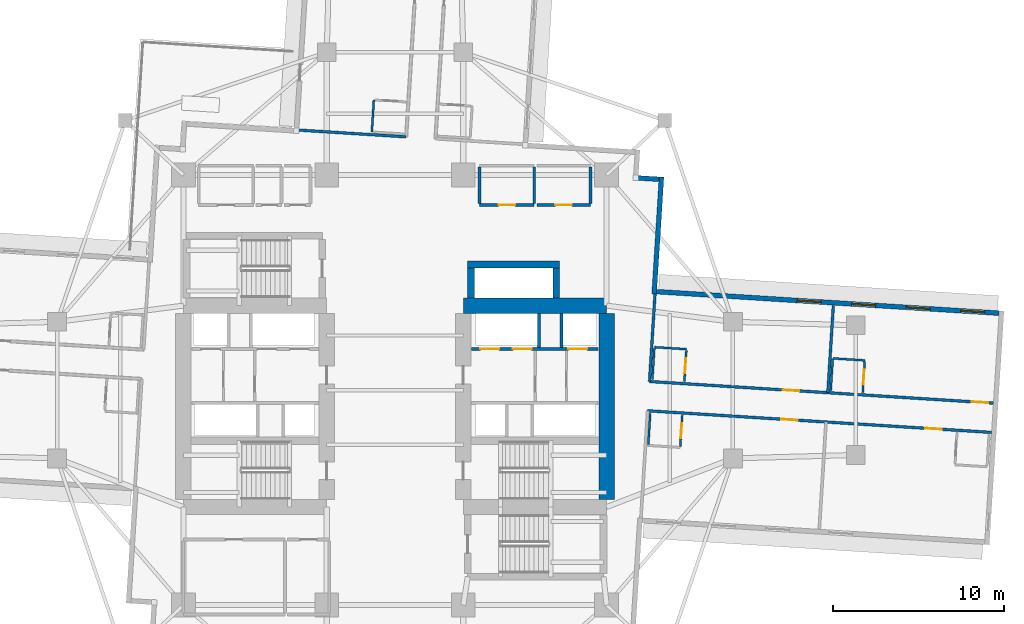
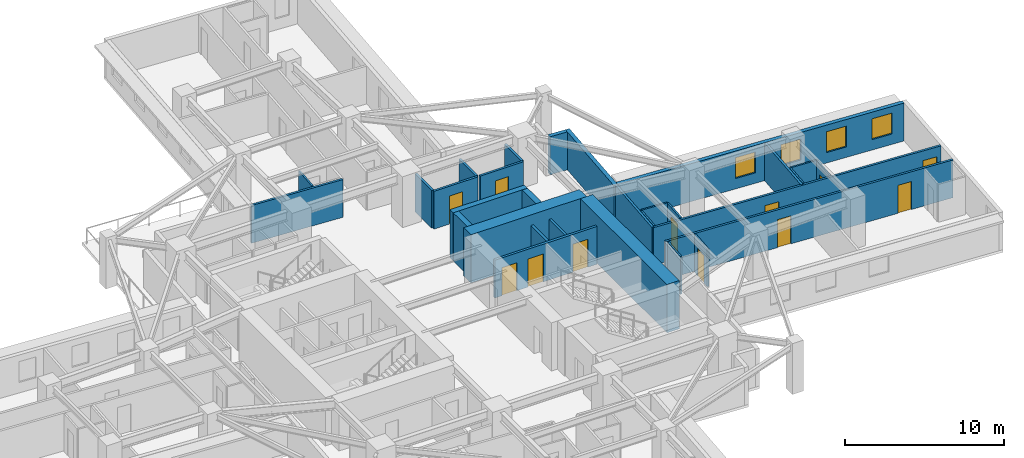
# One storey, part 7 of 14: 30 walls, 12 doors, 4 windows, 16 openings.
"""IFC4 building model written with IfcOpenShell, lengths in metres."""

from ifc_helpers import new_model, si_unit, direction, frame, frame_2d, origin, place, context, subcontext, project, spatial, rectangle, extrude, material, layer, layer_set, type_object, element, fill, save


model = new_model("IFC4")

# Units and contexts
model_context = context("Model", 3, precision=1e-05, world=origin(), true_north=direction((0.0, 1.0)))
body_context = subcontext(model_context, "Body", "Model", "MODEL_VIEW")
ifc_project = project(units=[si_unit("LENGTHUNIT", "METRE"), si_unit("AREAUNIT", "SQUARE_METRE"), si_unit("VOLUMEUNIT", "CUBIC_METRE"), si_unit("PLANEANGLEUNIT", "RADIAN"), si_unit("MASSUNIT", "GRAM", prefix="KILO")], contexts=[model_context])

# Site, building, storey
site_placement = place(None, origin())
site = spatial("IfcSite", under=ifc_project, at=site_placement, CompositionType="ELEMENT")
building_placement = place(site_placement, origin())
building = spatial("IfcBuilding", under=site, at=building_placement, Name="Qingluan Cross Belvedere", CompositionType="ELEMENT")
storey_placement = place(building_placement, frame((0.0, 0.0, 87.300048828125)))
storey = spatial("IfcBuildingStorey", under=building, at=storey_placement, Name="L22", CompositionType="ELEMENT", Elevation=87.300048828125)

# Walls
ifc_material_1 = material(Name="Concrete C50", Category="concrete")
ifc_layer_1 = layer(ifc_material_1, 0.449951171875, Name="CoreShearWall_450")
ifc_layer_set_1 = layer_set([ifc_layer_1], Name="Concrete C50")
wall_type_1 = type_object("IfcWallType", Name="CoreShearWall_450", PredefinedType="SHEAR", material=ifc_layer_set_1)
wall_1_placement = place(storey_placement, frame((4.449951171875, 5.405029296875, 0.0), z_axis=(0.0, 0.0, 1.0), x_axis=(0.0, 1.0, 0.0)))
element("IfcWall", 1, at=wall_1_placement, inside=storey, type_object=wall_type_1, Name="Express shuttle core wall L22-W", PredefinedType="SHEAR", context=body_context, shape_type="SweptSolid", body=[
    extrude(rectangle(XDim=1.73486328125, YDim=0.39990234375, at=frame_2d((0.867431640625, 0.0))), origin(), (0.0, 0.0, 1.0), 3.699951171875),
])
wall_2_placement = place(storey_placement, frame((4.25, 7.35009765625, 0.0), z_axis=(0.0, 0.0, 1.0), x_axis=(1.0, 0.0, 0.0)))
element("IfcWall", 2, at=wall_2_placement, inside=storey, type_object=wall_type_1, Name="Express shuttle core wall L22-N", PredefinedType="SHEAR", context=body_context, shape_type="SweptSolid", body=[
    extrude(rectangle(XDim=5.39990234375, YDim=0.39990234375, at=frame_2d((2.699951171875, 0.0))), origin(), (0.0, 0.0, 1.0), 3.699951171875),
])
wall_3_placement = place(storey_placement, frame((9.449951171875, 5.405029296875, 0.0), z_axis=(0.0, 0.0, 1.0), x_axis=(0.0, 1.0, 0.0)))
element("IfcWall", 3, at=wall_3_placement, inside=storey, type_object=wall_type_1, Name="Express shuttle core wall L22-E", PredefinedType="SHEAR", context=body_context, shape_type="SweptSolid", body=[
    extrude(rectangle(XDim=1.73486328125, YDim=0.39990234375, at=frame_2d((0.867431640625, 0.0))), origin(), (0.0, 0.0, 1.0), 3.699951171875),
])
ifc_material_2 = material(Name="Concrete C70", Category="concrete")
ifc_layer_2 = layer(ifc_material_2, 0.89990234375, Name="CoreShearWall_900")
ifc_layer_set_2 = layer_set([ifc_layer_2], Name="Concrete C70")
wall_type_2 = type_object("IfcWallType", Name="CoreShearWall_900", PredefinedType="SHEAR", material=ifc_layer_set_2)
wall_4_placement = place(storey_placement, frame((4.0, 4.949951171875, 0.0), z_axis=(0.0, 0.0, 1.0), x_axis=(1.0, 0.0, 0.0)))
element("IfcWall", 4, at=wall_4_placement, inside=storey, type_object=wall_type_2, Name="Split core E shear wall L22-N", PredefinedType="SHEAR", context=body_context, shape_type="SweptSolid", body=[
    extrude(rectangle(XDim=8.39990234375, YDim=0.89990234375, at=frame_2d((4.199951171875, 0.0))), origin(), (0.0, 0.0, 1.0), 3.699951171875),
])
wall_5_placement = place(storey_placement, frame((12.39990234375, -6.39501953125, 0.0), z_axis=(0.0, 0.0, 1.0), x_axis=(0.0, 1.0, 0.0)))
element("IfcWall", 5, at=wall_5_placement, inside=storey, type_object=wall_type_2, Name="Split core E shear wall L22-E", PredefinedType="SHEAR", context=body_context, shape_type="SweptSolid", body=[
    extrude(rectangle(XDim=10.89013671875, YDim=0.89990234375, at=frame_2d((5.445068359375, 0.0))), origin(), (0.0, 0.0, 1.0), 3.699951171875),
])

# Wall, opening, door
ifc_material_3 = material(Name="Gypsum plasterboard on steel stud acoustic partition", Category="steel")
ifc_layer_3 = layer(ifc_material_3, 0.159912109375, Name="CorridorPartition_160")
ifc_layer_set_3 = layer_set([ifc_layer_3], Name="Gypsum plasterboard on steel stud acoustic partition")
wall_type_3 = type_object("IfcWallType", Name="CorridorPartition_160", PredefinedType="PARTITIONING", material=ifc_layer_set_3)
wall_6_placement = place(storey_placement, frame((4.949951171875, 10.85009765625, 0.0), z_axis=(0.0, 0.0, 1.0), x_axis=(1.0, 0.0, 0.0)))
wall_6 = element("IfcWall", 6, at=wall_6_placement, inside=storey, type_object=wall_type_3, Name="Partition L22:q_ne1:S", PredefinedType="PARTITIONING", context=body_context, shape_type="SweptSolid", body=[
    extrude(rectangle(XDim=3.199951171875, YDim=0.159912109375, at=frame_2d((1.60009765625, 0.0))), origin(), (0.0, 0.0, 1.0), 2.89990234375),
])
opening_1_placement = place(wall_6_placement, frame((1.1201171875, 0.0, 0.0)))
opening_1 = element("IfcOpeningElement", 7, at=opening_1_placement, cuts=wall_6, Name="Opening GD-10", PredefinedType="OPENING", context=body_context, shape_type="SweptSolid", body=[
    extrude(rectangle(XDim=0.9599609375, YDim=2.14990234375, at=frame_2d((0.47998046875, 1.074951171875))), frame((0.0, 0.08984375, 0.0), z_axis=(0.0, -1.0, 0.0), x_axis=(1.0, 0.0, 0.0)), (0.0, 0.0, 1.0), 0.179931640625),
])
ifc_material_4 = material(Name="Timber oak fire-rated acoustic guestroom door", Category="wood")
door_type_1 = type_object("IfcDoorType", Name="GuestEntryDoor_FD60", OperationType="NOTDEFINED", PredefinedType="DOOR", material=ifc_material_4)
door_1_placement = place(opening_1_placement, origin())
door_1 = element("IfcDoor", 8, at=door_1_placement, inside=storey, type_object=door_type_1, Name="Sky fitness studio L22 door", OperationType="SINGLE_SWING_LEFT", OverallHeight=2.14990234375, OverallWidth=0.9599609375, PredefinedType="DOOR", context=body_context, shape_type="SweptSolid", body=[
    extrude(rectangle(XDim=0.9599609375, YDim=2.14990234375, at=frame_2d((0.47998046875, 1.074951171875))), frame((0.0, 0.02490234375, 0.0), z_axis=(0.0, -1.0, 0.0), x_axis=(1.0, 0.0, 0.0)), (0.0, 0.0, 1.0), 0.050048828125),
])
fill(opening_1, door_1)

# Walls
for number, where, z_axis, x_axis, name in (
    (9, (4.949951171875, 10.93505859375, 0.0), (0.0, 0.0, 1.0), (0.0, 1.0, 0.0), "Partition L22:q_ne1:W"),
    (10, (8.14990234375, 10.93505859375, 0.0), (0.0, 0.0, 1.0), (0.0, 1.0, 0.0), "Partition L22:q_ne1:E"),
):
    element("IfcWall", number, at=place(storey_placement, frame(where, z_axis=z_axis, x_axis=x_axis)), inside=storey, type_object=wall_type_3, Name=name, PredefinedType="PARTITIONING", context=body_context, shape_type="SweptSolid", body=[
        extrude(rectangle(XDim=2.1298828125, YDim=0.159912109375, at=frame_2d((1.06494140625, 0.0))), origin(), (0.0, 0.0, 1.0), 2.89990234375),
    ])

# Wall, opening, door
wall_7_placement = place(storey_placement, frame((8.31005859375, 10.85009765625, 0.0), z_axis=(0.0, 0.0, 1.0), x_axis=(1.0, 0.0, 0.0)))
wall_7 = element("IfcWall", 11, at=wall_7_placement, inside=storey, type_object=wall_type_3, Name="Partition L22:q_ne2:S", PredefinedType="PARTITIONING", context=body_context, shape_type="SweptSolid", body=[
    extrude(rectangle(XDim=3.139892578125, YDim=0.159912109375, at=frame_2d((1.56982421875, 0.0))), origin(), (0.0, 0.0, 1.0), 2.89990234375),
])
opening_2_placement = place(wall_7_placement, frame((1.090087890625, 0.0, 0.0)))
opening_2 = element("IfcOpeningElement", 12, at=opening_2_placement, cuts=wall_7, Name="Opening GD-10", PredefinedType="OPENING", context=body_context, shape_type="SweptSolid", body=[
    extrude(rectangle(XDim=0.9599609375, YDim=2.14990234375, at=frame_2d((0.47998046875, 1.074951171875))), frame((0.0, 0.08984375, 0.0), z_axis=(0.0, -1.0, 0.0), x_axis=(1.0, 0.0, 0.0)), (0.0, 0.0, 1.0), 0.179931640625),
])
door_2_placement = place(opening_2_placement, origin())
door_2 = element("IfcDoor", 13, at=door_2_placement, inside=storey, type_object=door_type_1, Name="Northeast quiet study L22 door", OperationType="SINGLE_SWING_RIGHT", OverallHeight=2.14990234375, OverallWidth=0.9599609375, PredefinedType="DOOR", context=body_context, shape_type="SweptSolid", body=[
    extrude(rectangle(XDim=0.9599609375, YDim=2.14990234375, at=frame_2d((0.47998046875, 1.074951171875))), frame((0.0, 0.02490234375, 0.0), z_axis=(0.0, -1.0, 0.0), x_axis=(1.0, 0.0, 0.0)), (0.0, 0.0, 1.0), 0.050048828125),
])
fill(opening_2, door_2)

# Wall
wall_8_placement = place(storey_placement, frame((11.449951171875, 10.93505859375, 0.0), z_axis=(0.0, 0.0, 1.0), x_axis=(0.0, 1.0, 0.0)))
element("IfcWall", 14, at=wall_8_placement, inside=storey, type_object=wall_type_3, Name="Partition L22:q_ne2:E", PredefinedType="PARTITIONING", context=body_context, shape_type="SweptSolid", body=[
    extrude(rectangle(XDim=2.1298828125, YDim=0.159912109375, at=frame_2d((1.06494140625, 0.0))), origin(), (0.0, 0.0, 1.0), 2.89990234375),
])

# Wall, openings, doors
wall_9_placement = place(storey_placement, frame((14.9111328125, 0.504638671875, 0.0), z_axis=(0.0, 0.0, 1.0), x_axis=(0.998027172545, -0.062783460104, 0.0)))
wall_9 = element("IfcWall", 15, at=wall_9_placement, inside=storey, type_object=wall_type_3, Name="Partition L22:E:c0", PredefinedType="PARTITIONING", context=body_context, shape_type="SweptSolid", body=[
    extrude(rectangle(XDim=20.181884765625, YDim=0.159912109375, at=frame_2d((10.0908203125, 0.0))), origin(), (0.0, 0.0, 1.0), 2.89990234375),
])
opening_3_placement = place(wall_9_placement, frame((7.8359375, 0.0, 0.0)))
opening_3 = element("IfcOpeningElement", 16, at=opening_3_placement, cuts=wall_9, Name="Opening GD-10", PredefinedType="OPENING", context=body_context, shape_type="SweptSolid", body=[
    extrude(rectangle(XDim=0.9599609375, YDim=2.14990234375, at=frame_2d((0.47998046875, 1.074951171875))), frame((0.0, 0.08984375, 0.0), z_axis=(0.0, -1.0, 0.0), x_axis=(1.0, 0.0, 0.0)), (0.0, 0.0, 1.0), 0.179931640625),
])
opening_4_placement = place(wall_9_placement, frame((18.929931640625, 0.0, 0.0)))
opening_4 = element("IfcOpeningElement", 17, at=opening_4_placement, cuts=wall_9, Name="Opening GD-10", PredefinedType="OPENING", context=body_context, shape_type="SweptSolid", body=[
    extrude(rectangle(XDim=0.9599609375, YDim=2.14990234375, at=frame_2d((0.47998046875, 1.074951171875))), frame((0.0, 0.08984375, 0.0), z_axis=(0.0, -1.0, 0.0), x_axis=(1.0, 0.0, 0.0)), (0.0, 0.0, 1.0), 0.179931640625),
])
door_3_placement = place(opening_3_placement, origin())
door_3 = element("IfcDoor", 18, at=door_3_placement, inside=storey, type_object=door_type_1, Name="Guest entry fire door 2201", OperationType="SINGLE_SWING_LEFT", OverallHeight=2.14990234375, OverallWidth=0.9599609375, PredefinedType="DOOR", context=body_context, shape_type="SweptSolid", body=[
    extrude(rectangle(XDim=0.9599609375, YDim=2.14990234375, at=frame_2d((0.47998046875, 1.074951171875))), frame((0.0, 0.02490234375, 0.0), z_axis=(0.0, -1.0, 0.0), x_axis=(1.0, 0.0, 0.0)), (0.0, 0.0, 1.0), 0.050048828125),
])
fill(opening_3, door_3)
door_4_placement = place(opening_4_placement, origin())
door_4 = element("IfcDoor", 19, at=door_4_placement, inside=storey, type_object=door_type_1, Name="Guest entry fire door 2202", OperationType="SINGLE_SWING_LEFT", OverallHeight=2.14990234375, OverallWidth=0.9599609375, PredefinedType="DOOR", context=body_context, shape_type="SweptSolid", body=[
    extrude(rectangle(XDim=0.9599609375, YDim=2.14990234375, at=frame_2d((0.47998046875, 1.074951171875))), frame((0.0, 0.02490234375, 0.0), z_axis=(0.0, -1.0, 0.0), x_axis=(1.0, 0.0, 0.0)), (0.0, 0.0, 1.0), 0.050048828125),
])
fill(opening_4, door_4)

# Walls
wall_10_placement = place(storey_placement, frame((14.9111328125, 0.504638671875, 0.0), z_axis=(0.0, 0.0, 1.0), x_axis=(0.062792901986, 0.998026578534, 0.0)))
element("IfcWall", 20, at=wall_10_placement, inside=storey, type_object=wall_type_3, Name="Partition L22:E:s0", PredefinedType="PARTITIONING", context=body_context, shape_type="SweptSolid", body=[
    extrude(rectangle(XDim=5.132080078125, YDim=0.159912109375, at=frame_2d((2.56591796875, 0.0))), origin(), (0.0, 0.0, 1.0), 2.89990234375),
])
wall_11_placement = place(storey_placement, frame((25.360595703125, -0.152587890625, 0.0), z_axis=(0.0, 0.0, 1.0), x_axis=(0.062748498058, 0.998029371307, 0.0)))
element("IfcWall", 21, at=wall_11_placement, inside=storey, type_object=wall_type_3, Name="Partition L22:E:d0_0", PredefinedType="PARTITIONING", context=body_context, shape_type="SweptSolid", body=[
    extrude(rectangle(XDim=5.1318359375, YDim=0.159912109375, at=frame_2d((2.56591796875, 0.0))), origin(), (0.0, 0.0, 1.0), 2.89990234375),
])

# Wall, openings, doors
wall_12_placement = place(storey_placement, frame((14.802978515625, -1.2119140625, 0.0), z_axis=(0.0, 0.0, 1.0), x_axis=(0.998027220227, -0.06278270212, 0.0)))
wall_12 = element("IfcWall", 22, at=wall_12_placement, inside=storey, type_object=wall_type_3, Name="Partition L22:E:c1", PredefinedType="PARTITIONING", context=body_context, shape_type="SweptSolid", body=[
    extrude(rectangle(XDim=20.18212890625, YDim=0.159912109375, at=frame_2d((10.091064453125, 0.0))), origin(), (0.0, 0.0, 1.0), 2.89990234375),
])
opening_5_placement = place(wall_12_placement, frame((7.8359375, 0.0, 0.0)))
opening_5 = element("IfcOpeningElement", 23, at=opening_5_placement, cuts=wall_12, Name="Opening GD-10", PredefinedType="OPENING", context=body_context, shape_type="SweptSolid", body=[
    extrude(rectangle(XDim=0.9599609375, YDim=2.14990234375, at=frame_2d((0.47998046875, 1.074951171875))), frame((0.0, 0.08984375, 0.0), z_axis=(0.0, -1.0, 0.0), x_axis=(1.0, 0.0, 0.0)), (0.0, 0.0, 1.0), 0.179931640625),
])
opening_6_placement = place(wall_12_placement, frame((16.2958984375, 0.0, 0.0)))
opening_6 = element("IfcOpeningElement", 24, at=opening_6_placement, cuts=wall_12, Name="Opening GD-10", PredefinedType="OPENING", context=body_context, shape_type="SweptSolid", body=[
    extrude(rectangle(XDim=0.9599609375, YDim=2.14990234375, at=frame_2d((0.47998046875, 1.074951171875))), frame((0.0, 0.08984375, 0.0), z_axis=(0.0, -1.0, 0.0), x_axis=(1.0, 0.0, 0.0)), (0.0, 0.0, 1.0), 0.179931640625),
])
door_5_placement = place(opening_5_placement, origin())
door_5 = element("IfcDoor", 25, at=door_5_placement, inside=storey, type_object=door_type_1, Name="Guest entry fire door 2203", OperationType="SINGLE_SWING_LEFT", OverallHeight=2.14990234375, OverallWidth=0.9599609375, PredefinedType="DOOR", context=body_context, shape_type="SweptSolid", body=[
    extrude(rectangle(XDim=0.9599609375, YDim=2.14990234375, at=frame_2d((0.47998046875, 1.074951171875))), frame((0.0, 0.02490234375, 0.0), z_axis=(0.0, -1.0, 0.0), x_axis=(1.0, 0.0, 0.0)), (0.0, 0.0, 1.0), 0.050048828125),
])
fill(opening_5, door_5)
door_6_placement = place(opening_6_placement, origin())
door_6 = element("IfcDoor", 26, at=door_6_placement, inside=storey, type_object=door_type_1, Name="Guest entry fire door 2204", OperationType="SINGLE_SWING_LEFT", OverallHeight=2.14990234375, OverallWidth=0.9599609375, PredefinedType="DOOR", context=body_context, shape_type="SweptSolid", body=[
    extrude(rectangle(XDim=0.9599609375, YDim=2.14990234375, at=frame_2d((0.47998046875, 1.074951171875))), frame((0.0, 0.02490234375, 0.0), z_axis=(0.0, -1.0, 0.0), x_axis=(1.0, 0.0, 0.0)), (0.0, 0.0, 1.0), 0.050048828125),
])
fill(opening_6, door_6)

# Wall
wall_13_placement = place(storey_placement, frame((0.653076171875, 14.83837890625, 0.0), z_axis=(0.0, 0.0, 1.0), x_axis=(-0.998027570366, 0.062777135888, 0.0)))
element("IfcWall", 27, at=wall_13_placement, inside=storey, type_object=wall_type_3, Name="Partition L22:N:s1", PredefinedType="PARTITIONING", context=body_context, shape_type="SweptSolid", body=[
    extrude(rectangle(XDim=6.440185546875, YDim=0.159912109375, at=frame_2d((3.22021484375, 0.0))), origin(), (0.0, 0.0, 1.0), 2.89990234375),
])

# Wall, opening, door
ifc_material_5 = material(Name="Moisture-resistant gypsum board lining")
ifc_layer_4 = layer(ifc_material_5, 0.1201171875, Name="EnsuiteWetPartition_120")
ifc_layer_set_4 = layer_set([ifc_layer_4], Name="Moisture-resistant gypsum board lining")
wall_type_4 = type_object("IfcWallType", Name="EnsuiteWetPartition_120", PredefinedType="PARTITIONING", material=ifc_layer_set_4)
wall_14_placement = place(storey_placement, frame((16.955810546875, 0.516357421875, 0.0), z_axis=(0.0, 0.0, 1.0), x_axis=(0.062912758763, 0.998019030272, 0.0)))
wall_14 = element("IfcWall", 28, at=wall_14_placement, inside=storey, type_object=wall_type_4, Name="Partition L22:E:bs0_0", PredefinedType="PARTITIONING", context=body_context, shape_type="SweptSolid", body=[
    extrude(rectangle(XDim=1.820068359375, YDim=0.1201171875, at=frame_2d((0.91015625, 0.0))), origin(), (0.0, 0.0, 1.0), 2.89990234375),
])
opening_7_placement = place(wall_14_placement, frame((0.469970703125, 0.0, 0.0)))
opening_7 = element("IfcOpeningElement", 29, at=opening_7_placement, cuts=wall_14, Name="Opening BD-09", PredefinedType="OPENING", context=body_context, shape_type="SweptSolid", body=[
    extrude(rectangle(XDim=0.8798828125, YDim=2.10009765625, at=frame_2d((0.43994140625, 1.050048828125))), frame((0.0, 0.070068359375, 0.0), z_axis=(0.0, -1.0, 0.0), x_axis=(1.0, 0.0, 0.0)), (0.0, 0.0, 1.0), 0.14013671875),
])
ifc_material_6 = material(Name="Moisture-sealed timber en-suite door", Category="wood")
door_type_2 = type_object("IfcDoorType", Name="BathroomDoor_880", OperationType="NOTDEFINED", PredefinedType="DOOR", material=ifc_material_6)
door_7_placement = place(opening_7_placement, origin())
door_7 = element("IfcDoor", 30, at=door_7_placement, inside=storey, type_object=door_type_2, Name="Bathroom door 2201", OperationType="SINGLE_SWING_RIGHT", OverallHeight=2.10009765625, OverallWidth=0.8798828125, PredefinedType="DOOR", context=body_context, shape_type="SweptSolid", body=[
    extrude(rectangle(XDim=0.8798828125, YDim=2.10009765625, at=frame_2d((0.43994140625, 1.050048828125))), frame((0.0, 0.02490234375, 0.0), z_axis=(0.0, -1.0, 0.0), x_axis=(1.0, 0.0, 0.0)), (0.0, 0.0, 1.0), 0.050048828125),
])
fill(opening_7, door_7)

# Walls
wall_15_placement = place(storey_placement, frame((15.07958984375, 0.634521484375, 0.0), z_axis=(0.0, 0.0, 1.0), x_axis=(0.062787551592, 0.998026915151, 0.0)))
element("IfcWall", 31, at=wall_15_placement, inside=storey, type_object=wall_type_4, Name="Partition L22:E:bw0_0", PredefinedType="PARTITIONING", context=body_context, shape_type="SweptSolid", body=[
    extrude(rectangle(XDim=1.81982421875, YDim=0.1201171875, at=frame_2d((0.909912109375, 0.0))), origin(), (0.0, 0.0, 1.0), 2.89990234375),
])
wall_16_placement = place(storey_placement, frame((15.197998046875, 2.515625, 0.0), z_axis=(0.0, 0.0, 1.0), x_axis=(0.998030789148, -0.062725942896, 0.0)))
element("IfcWall", 32, at=wall_16_placement, inside=storey, type_object=wall_type_4, Name="Partition L22:E:bn0_0", PredefinedType="PARTITIONING", context=body_context, shape_type="SweptSolid", body=[
    extrude(rectangle(XDim=1.8798828125, YDim=0.1201171875, at=frame_2d((0.93994140625, 0.0))), origin(), (0.0, 0.0, 1.0), 2.89990234375),
])

# Wall, opening, door
wall_17_placement = place(storey_placement, frame((27.4052734375, -0.14111328125, 0.0), z_axis=(0.0, 0.0, 1.0), x_axis=(0.062779145668, 0.998027443946, 0.0)))
wall_17 = element("IfcWall", 33, at=wall_17_placement, inside=storey, type_object=wall_type_4, Name="Partition L22:E:bs0_1", PredefinedType="PARTITIONING", context=body_context, shape_type="SweptSolid", body=[
    extrude(rectangle(XDim=1.820068359375, YDim=0.1201171875, at=frame_2d((0.91015625, 0.0))), origin(), (0.0, 0.0, 1.0), 2.89990234375),
])
opening_8_placement = place(wall_17_placement, frame((0.469970703125, 0.0, 0.0)))
opening_8 = element("IfcOpeningElement", 34, at=opening_8_placement, cuts=wall_17, Name="Opening BD-09", PredefinedType="OPENING", context=body_context, shape_type="SweptSolid", body=[
    extrude(rectangle(XDim=0.8798828125, YDim=2.10009765625, at=frame_2d((0.43994140625, 1.050048828125))), frame((0.0, 0.070068359375, 0.0), z_axis=(0.0, -1.0, 0.0), x_axis=(1.0, 0.0, 0.0)), (0.0, 0.0, 1.0), 0.14013671875),
])
door_8_placement = place(opening_8_placement, origin())
door_8 = element("IfcDoor", 35, at=door_8_placement, inside=storey, type_object=door_type_2, Name="Bathroom door 2202", OperationType="SINGLE_SWING_RIGHT", OverallHeight=2.10009765625, OverallWidth=0.8798828125, PredefinedType="DOOR", context=body_context, shape_type="SweptSolid", body=[
    extrude(rectangle(XDim=0.8798828125, YDim=2.10009765625, at=frame_2d((0.43994140625, 1.050048828125))), frame((0.0, 0.02490234375, 0.0), z_axis=(0.0, -1.0, 0.0), x_axis=(1.0, 0.0, 0.0)), (0.0, 0.0, 1.0), 0.050048828125),
])
fill(opening_8, door_8)

# Walls
wall_18_placement = place(storey_placement, frame((25.52880859375, -0.02294921875, 0.0), z_axis=(0.0, 0.0, 1.0), x_axis=(0.062912758763, 0.998019030272, 0.0)))
element("IfcWall", 36, at=wall_18_placement, inside=storey, type_object=wall_type_4, Name="Partition L22:E:bw0_1", PredefinedType="PARTITIONING", context=body_context, shape_type="SweptSolid", body=[
    extrude(rectangle(XDim=1.820068359375, YDim=0.1201171875, at=frame_2d((0.91015625, 0.0))), origin(), (0.0, 0.0, 1.0), 2.89990234375),
])
wall_19_placement = place(storey_placement, frame((25.647216796875, 1.8583984375, 0.0), z_axis=(0.0, 0.0, 1.0), x_axis=(0.998023163794, -0.062847152131, 0.0)))
element("IfcWall", 37, at=wall_19_placement, inside=storey, type_object=wall_type_4, Name="Partition L22:E:bn0_1", PredefinedType="PARTITIONING", context=body_context, shape_type="SweptSolid", body=[
    extrude(rectangle(XDim=1.880126953125, YDim=0.1201171875, at=frame_2d((0.93994140625, 0.0))), origin(), (0.0, 0.0, 1.0), 2.89990234375),
])

# Wall, opening, door
wall_20_placement = place(storey_placement, frame((16.716064453125, -3.296142578125, 0.0), z_axis=(0.0, 0.0, 1.0), x_axis=(0.062779145668, 0.998027443946, 0.0)))
wall_20 = element("IfcWall", 38, at=wall_20_placement, inside=storey, type_object=wall_type_4, Name="Partition L22:E:bs1_0", PredefinedType="PARTITIONING", context=body_context, shape_type="SweptSolid", body=[
    extrude(rectangle(XDim=1.820068359375, YDim=0.1201171875, at=frame_2d((0.91015625, 0.0))), origin(), (0.0, 0.0, 1.0), 2.89990234375),
])
opening_9_placement = place(wall_20_placement, frame((0.469970703125, 0.0, 0.0)))
opening_9 = element("IfcOpeningElement", 39, at=opening_9_placement, cuts=wall_20, Name="Opening BD-09", PredefinedType="OPENING", context=body_context, shape_type="SweptSolid", body=[
    extrude(rectangle(XDim=0.8798828125, YDim=2.10009765625, at=frame_2d((0.43994140625, 1.050048828125))), frame((0.0, 0.070068359375, 0.0), z_axis=(0.0, -1.0, 0.0), x_axis=(1.0, 0.0, 0.0)), (0.0, 0.0, 1.0), 0.14013671875),
])
door_9_placement = place(opening_9_placement, origin())
door_9 = element("IfcDoor", 40, at=door_9_placement, inside=storey, type_object=door_type_2, Name="Bathroom door 2203", OperationType="SINGLE_SWING_RIGHT", OverallHeight=2.10009765625, OverallWidth=0.8798828125, PredefinedType="DOOR", context=body_context, shape_type="SweptSolid", body=[
    extrude(rectangle(XDim=0.8798828125, YDim=2.10009765625, at=frame_2d((0.43994140625, 1.050048828125))), frame((0.0, 0.02490234375, 0.0), z_axis=(0.0, -1.0, 0.0), x_axis=(1.0, 0.0, 0.0)), (0.0, 0.0, 1.0), 0.050048828125),
])
fill(opening_9, door_9)

# Walls
wall_21_placement = place(storey_placement, frame((14.839599609375, -3.177978515625, 0.0), z_axis=(0.0, 0.0, 1.0), x_axis=(0.062921182436, 0.998018499228, 0.0)))
element("IfcWall", 41, at=wall_21_placement, inside=storey, type_object=wall_type_4, Name="Partition L22:E:bw1_0", PredefinedType="PARTITIONING", context=body_context, shape_type="SweptSolid", body=[
    extrude(rectangle(XDim=1.81982421875, YDim=0.1201171875, at=frame_2d((0.909912109375, 0.0))), origin(), (0.0, 0.0, 1.0), 2.89990234375),
])
wall_22_placement = place(storey_placement, frame((-1.35791015625, 15.125, 0.0), z_axis=(0.0, 0.0, 1.0), x_axis=(0.062717813936, 0.998031300018, 0.0)))
element("IfcWall", 42, at=wall_22_placement, inside=storey, type_object=wall_type_4, Name="Partition L22:N:bc1_0", PredefinedType="PARTITIONING", context=body_context, shape_type="SweptSolid", body=[
    extrude(rectangle(XDim=1.880126953125, YDim=0.1201171875, at=frame_2d((0.93994140625, 0.0))), origin(), (0.0, 0.0, 1.0), 2.89990234375),
])

# Wall, openings, windows
ifc_material_7 = material(Name="Precast concrete C45", Category="concrete")
ifc_layer_5 = layer(ifc_material_7, 0.280029296875, Name="PrecastFacadeWall_280")
ifc_layer_set_5 = layer_set([ifc_layer_5], Name="Precast concrete C45")
wall_type_5 = type_object("IfcWallType", Name="PrecastFacadeWall_280", PredefinedType="STANDARD", material=ifc_layer_set_5)
wall_23_placement = place(storey_placement, frame((35.392822265625, 4.506591796875, 0.0), z_axis=(0.0, 0.0, 1.0), x_axis=(-0.998027116198, 0.062784355807, 0.0)))
wall_23 = element("IfcWall", 43, at=wall_23_placement, inside=storey, type_object=wall_type_5, Name="Facade wall L22-EB", PredefinedType="STANDARD", context=body_context, shape_type="SweptSolid", body=[
    extrude(rectangle(XDim=20.099853515625, YDim=0.280029296875, at=frame_2d((10.0498046875, 0.0))), origin(), (0.0, 0.0, 1.0), 2.909912109375),
])
opening_10_placement = place(wall_23_placement, frame((0.85009765625, 0.0, 0.800048828125)))
opening_10 = element("IfcOpeningElement", 44, at=opening_10_placement, cuts=wall_23, Name="Opening W-01", PredefinedType="OPENING", context=body_context, shape_type="SweptSolid", body=[
    extrude(rectangle(XDim=1.39990234375, YDim=1.60009765625, at=frame_2d((0.699951171875, 0.800048828125))), frame((0.0, 0.14990234375, 0.0), z_axis=(0.0, -1.0, 0.0), x_axis=(1.0, 0.0, 0.0)), (0.0, 0.0, 1.0), 0.300048828125),
])
opening_11_placement = place(wall_23_placement, frame((4.050048828125, 0.0, 0.800048828125)))
opening_11 = element("IfcOpeningElement", 45, at=opening_11_placement, cuts=wall_23, Name="Opening W-01", PredefinedType="OPENING", context=body_context, shape_type="SweptSolid", body=[
    extrude(rectangle(XDim=1.39990234375, YDim=1.60009765625, at=frame_2d((0.699951171875, 0.800048828125))), frame((0.0, 0.14990234375, 0.0), z_axis=(0.0, -1.0, 0.0), x_axis=(1.0, 0.0, 0.0)), (0.0, 0.0, 1.0), 0.300048828125),
])
opening_12_placement = place(wall_23_placement, frame((7.25, 0.0, 0.800048828125)))
opening_12 = element("IfcOpeningElement", 46, at=opening_12_placement, cuts=wall_23, Name="Opening W-01", PredefinedType="OPENING", context=body_context, shape_type="SweptSolid", body=[
    extrude(rectangle(XDim=1.39990234375, YDim=1.60009765625, at=frame_2d((0.699951171875, 0.800048828125))), frame((0.0, 0.14990234375, 0.0), z_axis=(0.0, -1.0, 0.0), x_axis=(1.0, 0.0, 0.0)), (0.0, 0.0, 1.0), 0.300048828125),
])
opening_13_placement = place(wall_23_placement, frame((10.449951171875, 0.0, 0.800048828125)))
opening_13 = element("IfcOpeningElement", 47, at=opening_13_placement, cuts=wall_23, Name="Opening W-01", PredefinedType="OPENING", context=body_context, shape_type="SweptSolid", body=[
    extrude(rectangle(XDim=1.39990234375, YDim=1.60009765625, at=frame_2d((0.699951171875, 0.800048828125))), frame((0.0, 0.14990234375, 0.0), z_axis=(0.0, -1.0, 0.0), x_axis=(1.0, 0.0, 0.0)), (0.0, 0.0, 1.0), 0.300048828125),
])
ifc_material_8 = material(Name="Thermally broken triple Low-E glass in aluminium frame", Category="aluminium")
window_type = type_object("IfcWindowType", Name="TriRibbonWin_1400x1600", PartitioningType="SINGLE_PANEL", PredefinedType="WINDOW", material=ifc_material_8)
window_1_placement = place(opening_10_placement, origin())
window_1 = element("IfcWindow", 48, at=window_1_placement, inside=storey, type_object=window_type, Name="Ribbon window L22-EB-1", OverallHeight=1.60009765625, OverallWidth=1.39990234375, PartitioningType="SINGLE_PANEL", PredefinedType="WINDOW", context=body_context, shape_type="SweptSolid", body=[
    extrude(rectangle(XDim=1.39990234375, YDim=1.60009765625, at=frame_2d((0.699951171875, 0.800048828125))), frame((0.0, 0.030029296875, 0.0), z_axis=(0.0, -1.0, 0.0), x_axis=(1.0, 0.0, 0.0)), (0.0, 0.0, 1.0), 0.06005859375),
])
fill(opening_10, window_1)
window_2_placement = place(opening_11_placement, origin())
window_2 = element("IfcWindow", 49, at=window_2_placement, inside=storey, type_object=window_type, Name="Ribbon window L22-EB-2", OverallHeight=1.60009765625, OverallWidth=1.39990234375, PartitioningType="SINGLE_PANEL", PredefinedType="WINDOW", context=body_context, shape_type="SweptSolid", body=[
    extrude(rectangle(XDim=1.39990234375, YDim=1.60009765625, at=frame_2d((0.699951171875, 0.800048828125))), frame((0.0, 0.030029296875, 0.0), z_axis=(0.0, -1.0, 0.0), x_axis=(1.0, 0.0, 0.0)), (0.0, 0.0, 1.0), 0.06005859375),
])
fill(opening_11, window_2)
window_3_placement = place(opening_12_placement, origin())
window_3 = element("IfcWindow", 50, at=window_3_placement, inside=storey, type_object=window_type, Name="Ribbon window L22-EB-3", OverallHeight=1.60009765625, OverallWidth=1.39990234375, PartitioningType="SINGLE_PANEL", PredefinedType="WINDOW", context=body_context, shape_type="SweptSolid", body=[
    extrude(rectangle(XDim=1.39990234375, YDim=1.60009765625, at=frame_2d((0.699951171875, 0.800048828125))), frame((0.0, 0.030029296875, 0.0), z_axis=(0.0, -1.0, 0.0), x_axis=(1.0, 0.0, 0.0)), (0.0, 0.0, 1.0), 0.06005859375),
])
fill(opening_12, window_3)
window_4_placement = place(opening_13_placement, origin())
window_4 = element("IfcWindow", 51, at=window_4_placement, inside=storey, type_object=window_type, Name="Ribbon window L22-EB-4", OverallHeight=1.60009765625, OverallWidth=1.39990234375, PartitioningType="SINGLE_PANEL", PredefinedType="WINDOW", context=body_context, shape_type="SweptSolid", body=[
    extrude(rectangle(XDim=1.39990234375, YDim=1.60009765625, at=frame_2d((0.699951171875, 0.800048828125))), frame((0.0, 0.030029296875, 0.0), z_axis=(0.0, -1.0, 0.0), x_axis=(1.0, 0.0, 0.0)), (0.0, 0.0, 1.0), 0.06005859375),
])
fill(opening_13, window_4)

# Walls
wall_24_placement = place(storey_placement, frame((15.18408203125, 5.6376953125, 0.0), z_axis=(0.0, 0.0, 1.0), x_axis=(0.062779317195, 0.998027433156, 0.0)))
element("IfcWall", 52, at=wall_24_placement, inside=storey, type_object=wall_type_5, Name="Corner wall L22-NE1", PredefinedType="STANDARD", context=body_context, shape_type="SweptSolid", body=[
    extrude(rectangle(XDim=6.85986328125, YDim=0.280029296875, at=frame_2d((3.429931640625, 0.0))), origin(), (0.0, 0.0, 1.0), 2.909912109375),
])
wall_25_placement = place(storey_placement, frame((15.46630859375, 12.353271484375, 0.0), z_axis=(0.0, 0.0, 1.0), x_axis=(-0.998024450254, 0.062826719603, 0.0)))
element("IfcWall", 53, at=wall_25_placement, inside=storey, type_object=wall_type_5, Name="Corner wall L22-NE2", PredefinedType="STANDARD", context=body_context, shape_type="SweptSolid", body=[
    extrude(rectangle(XDim=1.22021484375, YDim=0.280029296875, at=frame_2d((0.610107421875, 0.0))), origin(), (0.0, 0.0, 1.0), 2.909912109375),
])

# Wall, openings, doors
ifc_material_9 = material(Name="Concrete C40", Category="concrete")
ifc_layer_6 = layer(ifc_material_9, 0.219970703125, Name="ShaftEnclosureWall_250")
ifc_layer_set_6 = layer_set([ifc_layer_6], Name="Concrete C40")
wall_type_6 = type_object("IfcWallType", Name="ShaftEnclosureWall_250", PredefinedType="SOLIDWALL", material=ifc_layer_set_6)
wall_26_placement = place(storey_placement, frame((4.47998046875, 2.409912109375, 0.0), z_axis=(0.0, 0.0, 1.0), x_axis=(1.0, 0.0, 0.0)))
wall_26 = element("IfcWall", 54, at=wall_26_placement, inside=storey, type_object=wall_type_6, Name="Core-E north hoistway wall L22", PredefinedType="SOLIDWALL", context=body_context, shape_type="SweptSolid", body=[
    extrude(rectangle(XDim=7.419921875, YDim=0.179931640625, at=frame_2d((3.7099609375, 0.0))), origin(), (0.0, 0.0, 1.0), 2.89990234375),
])
opening_14_placement = place(wall_26_placement, frame((5.669921875, 0.0, 0.0)))
opening_14 = element("IfcOpeningElement", 55, at=opening_14_placement, cuts=wall_26, Name="Opening LD-11", PredefinedType="OPENING", context=body_context, shape_type="SweptSolid", body=[
    extrude(rectangle(XDim=1.10009765625, YDim=2.14990234375, at=frame_2d((0.550048828125, 1.074951171875))), frame((0.0, 0.099853515625, 0.0), z_axis=(0.0, -1.0, 0.0), x_axis=(1.0, 0.0, 0.0)), (0.0, 0.0, 1.0), 0.199951171875),
])
opening_15_placement = place(wall_26_placement, frame((0.52001953125, 0.0, 0.0)))
opening_15 = element("IfcOpeningElement", 56, at=opening_15_placement, cuts=wall_26, Name="Opening LD-11", PredefinedType="OPENING", context=body_context, shape_type="SweptSolid", body=[
    extrude(rectangle(XDim=1.10009765625, YDim=2.14990234375, at=frame_2d((0.550048828125, 1.074951171875))), frame((0.0, 0.099853515625, 0.0), z_axis=(0.0, -1.0, 0.0), x_axis=(1.0, 0.0, 0.0)), (0.0, 0.0, 1.0), 0.199951171875),
])
opening_16_placement = place(wall_26_placement, frame((2.419921875, 0.0, 0.0)))
opening_16 = element("IfcOpeningElement", 57, at=opening_16_placement, cuts=wall_26, Name="Opening LD-11", PredefinedType="OPENING", context=body_context, shape_type="SweptSolid", body=[
    extrude(rectangle(XDim=1.10009765625, YDim=2.14990234375, at=frame_2d((0.550048828125, 1.074951171875))), frame((0.0, 0.099853515625, 0.0), z_axis=(0.0, -1.0, 0.0), x_axis=(1.0, 0.0, 0.0)), (0.0, 0.0, 1.0), 0.199951171875),
])
ifc_material_10 = material(Name="Brushed stainless steel centre-opening lift landing door", Category="steel")
door_type_3 = type_object("IfcDoorType", Name="LiftLandingSlidingDoor_1100", OperationType="DOUBLE_DOOR_SLIDING", PredefinedType="DOOR", material=ifc_material_10)
door_10_placement = place(opening_14_placement, origin())
door_10 = element("IfcDoor", 58, at=door_10_placement, inside=storey, type_object=door_type_3, Name="Lift landing sliding door FL2 L22", OperationType="DOUBLE_DOOR_SLIDING", OverallHeight=2.14990234375, OverallWidth=1.10009765625, PredefinedType="DOOR", context=body_context, shape_type="SweptSolid", body=[
    extrude(rectangle(XDim=1.10009765625, YDim=2.14990234375, at=frame_2d((0.550048828125, 1.074951171875))), frame((0.0, 0.02490234375, 0.0), z_axis=(0.0, -1.0, 0.0), x_axis=(1.0, 0.0, 0.0)), (0.0, 0.0, 1.0), 0.050048828125),
])
fill(opening_14, door_10)
door_11_placement = place(opening_15_placement, origin())
door_11 = element("IfcDoor", 59, at=door_11_placement, inside=storey, type_object=door_type_3, Name="Lift landing sliding door LP3 L22", OperationType="DOUBLE_DOOR_SLIDING", OverallHeight=2.14990234375, OverallWidth=1.10009765625, PredefinedType="DOOR", context=body_context, shape_type="SweptSolid", body=[
    extrude(rectangle(XDim=1.10009765625, YDim=2.14990234375, at=frame_2d((0.550048828125, 1.074951171875))), frame((0.0, 0.02490234375, 0.0), z_axis=(0.0, -1.0, 0.0), x_axis=(1.0, 0.0, 0.0)), (0.0, 0.0, 1.0), 0.050048828125),
])
fill(opening_15, door_11)
door_12_placement = place(opening_16_placement, origin())
door_12 = element("IfcDoor", 60, at=door_12_placement, inside=storey, type_object=door_type_3, Name="Lift landing sliding door LP4 L22", OperationType="DOUBLE_DOOR_SLIDING", OverallHeight=2.14990234375, OverallWidth=1.10009765625, PredefinedType="DOOR", context=body_context, shape_type="SweptSolid", body=[
    extrude(rectangle(XDim=1.10009765625, YDim=2.14990234375, at=frame_2d((0.550048828125, 1.074951171875))), frame((0.0, 0.02490234375, 0.0), z_axis=(0.0, -1.0, 0.0), x_axis=(1.0, 0.0, 0.0)), (0.0, 0.0, 1.0), 0.050048828125),
])
fill(opening_16, door_12)

# Walls
for number, where, z_axis, x_axis, name in (
    (61, (8.43994140625, 2.5, 0.0), (0.0, 0.0, 1.0), (0.0, 1.0, 0.0), "Hoistway enclosure divider LP4E L22"),
    (62, (9.760009765625, 2.5, 0.0), (0.0, 0.0, 1.0), (0.0, 1.0, 0.0), "Hoistway enclosure divider FL2W L22"),
):
    element("IfcWall", number, at=place(storey_placement, frame(where, z_axis=z_axis, x_axis=x_axis)), inside=storey, type_object=wall_type_6, Name=name, PredefinedType="SOLIDWALL", context=body_context, shape_type="SweptSolid", body=[
        extrude(rectangle(XDim=1.989990234375, YDim=0.179931640625, at=frame_2d((0.9951171875, 0.0))), origin(), (0.0, 0.0, 1.0), 2.89990234375),
    ])

save(model, "model.ifc")
